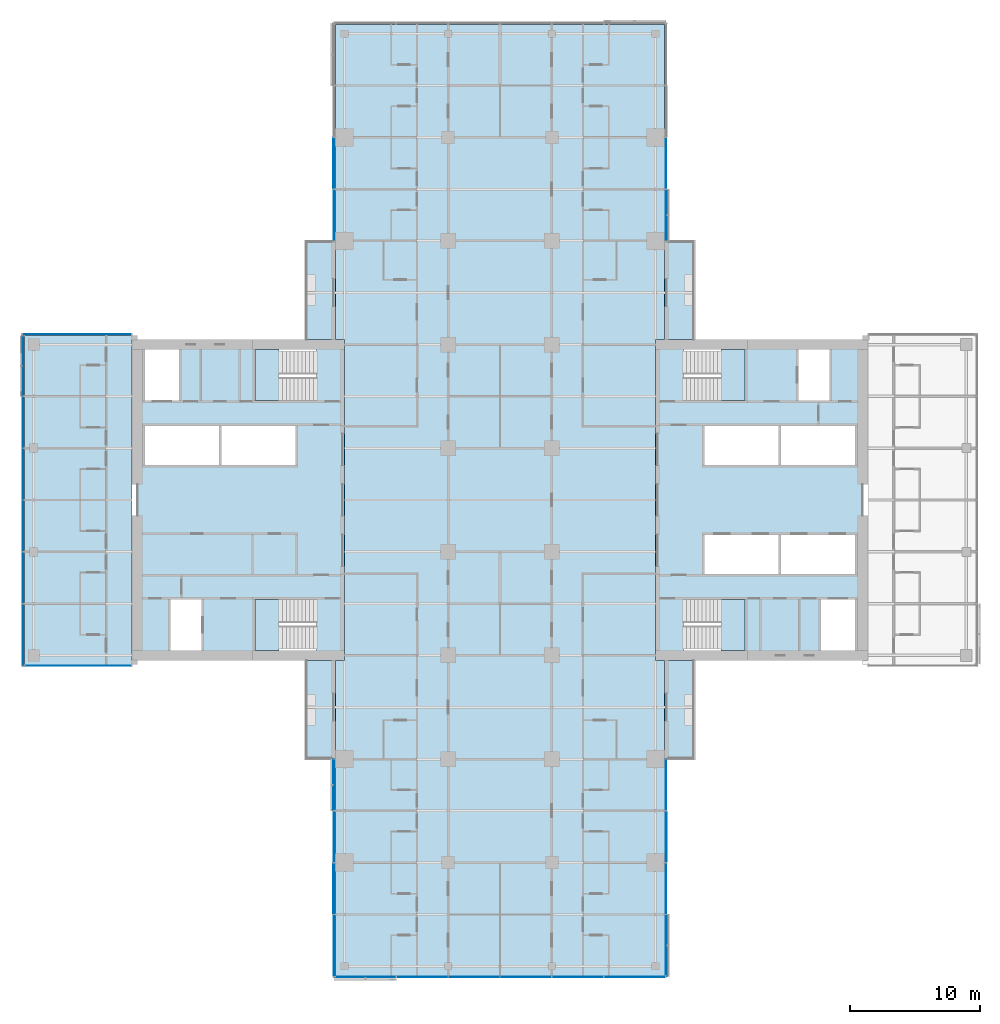
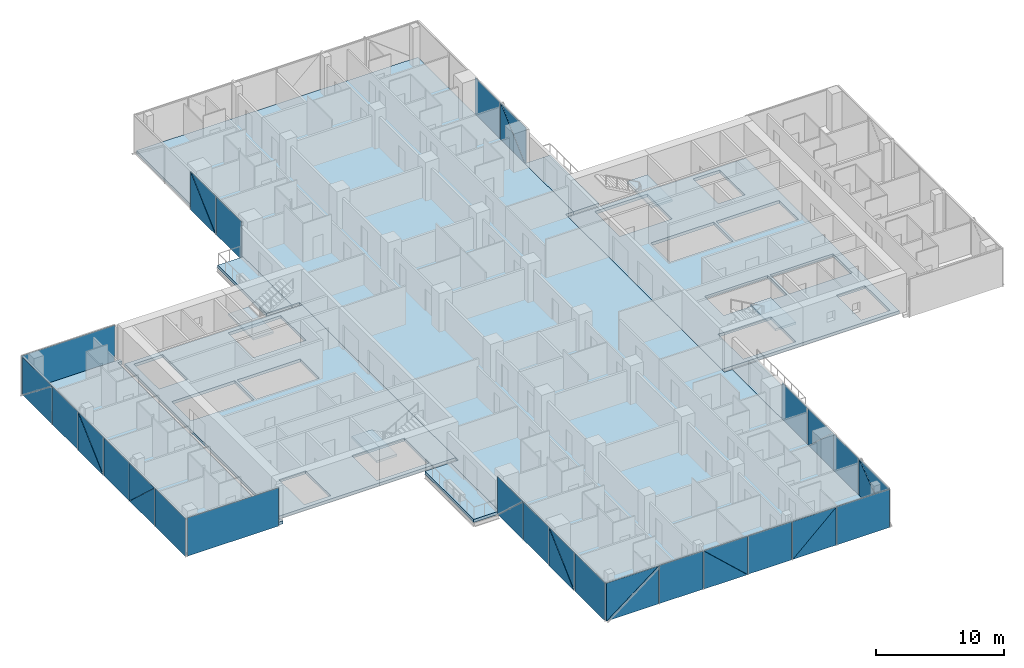
# One storey, part 13 of 29: 38 plates, 12 slabs, 12 elements without a shape of their own.
"""IFC4 building model written with IfcOpenShell, lengths in metres."""

from ifc_helpers import new_model, si_unit, direction, frame, origin, place, context, subcontext, project, spatial, polyline, outline, extrude, material, layer, layer_set, type_object, element, aggregate, save


model = new_model("IFC4")

# Units and contexts
model_context = context("Model", 3, precision=1e-05, world=origin(), true_north=direction((0.0, 1.0)))
body_context = subcontext(model_context, "Body", "Model", "MODEL_VIEW")
ifc_project = project(units=[si_unit("LENGTHUNIT", "METRE"), si_unit("AREAUNIT", "SQUARE_METRE"), si_unit("VOLUMEUNIT", "CUBIC_METRE"), si_unit("PLANEANGLEUNIT", "RADIAN"), si_unit("MASSUNIT", "GRAM", prefix="KILO")], contexts=[model_context])

# Site, building, storey
site_placement = place(None, origin())
site = spatial("IfcSite", under=ifc_project, at=site_placement, CompositionType="ELEMENT")
building_placement = place(site_placement, origin())
building = spatial("IfcBuilding", under=site, at=building_placement, Name="Crosswind Convention Tower", CompositionType="ELEMENT")
storey_placement = place(building_placement, frame((0.0, 0.0, 60.89990234375)))
storey = spatial("IfcBuildingStorey", under=building, at=storey_placement, Name="L09", CompositionType="ELEMENT", Elevation=60.89990234375)

# Slabs
ifc_material_1 = material(Name="Concrete C40/50", Category="concrete")
ifc_layer_1 = layer(ifc_material_1, 0.280029296875)
ifc_layer_set_1 = layer_set([ifc_layer_1], Name="Concrete C40/50")
slab_type_1 = type_object("IfcSlabType", Name="BALCONY SLAB 280", PredefinedType="USERDEFINED", material=ifc_layer_set_1)
slab_1_placement = place(storey_placement, frame((0.0, 0.0, -0.27978515625)))
element("IfcSlab", 1, at=slab_1_placement, inside=storey, type_object=slab_type_1, Name="BALCONY L09 N-E.1-1", ObjectType="BALCONY", PredefinedType="USERDEFINED", context=body_context, shape_type="SweptSolid", body=[
    extrude(outline(polyline([(137.699951171875, 112.39990234375), (137.699951171875, 120.0), (140.0, 120.0), (140.0, 112.39990234375), (137.699951171875, 112.39990234375)])), origin(), (0.0, 0.0, 1.0), 0.27978515625),
])
slab_2_placement = place(storey_placement, frame((0.0, 0.0, -0.27978515625)))
element("IfcSlab", 2, at=slab_2_placement, inside=storey, type_object=slab_type_1, Name="BALCONY L09 N-W.1-3", ObjectType="BALCONY", PredefinedType="USERDEFINED", context=body_context, shape_type="SweptSolid", body=[
    extrude(outline(polyline([(112.300048828125, 120.0), (112.300048828125, 112.39990234375), (110.0, 112.39990234375), (110.0, 120.0), (112.300048828125, 120.0)])), origin(), (0.0, 0.0, 1.0), 0.27978515625),
])
slab_3_placement = place(storey_placement, frame((0.0, 0.0, -0.27978515625)))
element("IfcSlab", 3, at=slab_3_placement, inside=storey, type_object=slab_type_1, Name="BALCONY L09 S-W.1-1", ObjectType="BALCONY", PredefinedType="USERDEFINED", context=body_context, shape_type="SweptSolid", body=[
    extrude(outline(polyline([(112.300048828125, 87.60009765625), (112.300048828125, 80.0), (110.0, 80.0), (110.0, 87.60009765625), (112.300048828125, 87.60009765625)])), origin(), (0.0, 0.0, 1.0), 0.27978515625),
])
slab_4_placement = place(storey_placement, frame((0.0, 0.0, -0.27978515625)))
element("IfcSlab", 4, at=slab_4_placement, inside=storey, type_object=slab_type_1, Name="BALCONY L09 S-E.1-3", ObjectType="BALCONY", PredefinedType="USERDEFINED", context=body_context, shape_type="SweptSolid", body=[
    extrude(outline(polyline([(137.699951171875, 80.0), (137.699951171875, 87.60009765625), (140.0, 87.60009765625), (140.0, 80.0), (137.699951171875, 80.0)])), origin(), (0.0, 0.0, 1.0), 0.27978515625),
])
ifc_layer_2 = layer(ifc_material_1, 0.280029296875)
ifc_layer_set_2 = layer_set([ifc_layer_2], Name="Concrete C40/50")
slab_type_2 = type_object("IfcSlabType", Name="Composite floor slab 280", PredefinedType="FLOOR", material=ifc_layer_set_2)
slab_5_placement = place(storey_placement, frame((0.0, 0.0, -0.27978515625)))
element("IfcSlab", 5, at=slab_5_placement, inside=storey, type_object=slab_type_2, Name="Floor slab L09 part 1", PredefinedType="FLOOR", context=body_context, shape_type="SweptSolid", body=[
    extrude(outline(polyline([(97.0, 87.300048828125), (89.0, 87.300048828125), (88.300048828125, 87.300048828125), (88.300048828125, 88.0), (88.300048828125, 112.0), (88.300048828125, 112.699951171875), (89.0, 112.699951171875), (97.0, 112.699951171875), (97.0, 112.39990234375), (96.60009765625, 112.39990234375), (96.60009765625, 87.60009765625), (97.0, 87.60009765625), (97.0, 87.300048828125)])), origin(), (0.0, 0.0, 1.0), 0.27978515625),
])
slab_6_placement = place(storey_placement, frame((0.0, 0.0, -0.27978515625)))
element("IfcSlab", 6, at=slab_6_placement, inside=storey, type_object=slab_type_2, Name="Floor slab L09 part 2", PredefinedType="FLOOR", context=body_context, shape_type="SweptSolid", body=[
    extrude(outline(polyline([(112.300048828125, 87.60009765625), (113.0, 87.60009765625), (113.0, 112.39990234375), (112.300048828125, 112.39990234375), (112.300048828125, 136.0), (112.300048828125, 136.699951171875), (113.0, 136.699951171875), (137.0, 136.699951171875), (137.699951171875, 136.699951171875), (137.699951171875, 136.0), (137.699951171875, 112.39990234375), (137.0, 112.39990234375), (137.0, 87.60009765625), (137.699951171875, 87.60009765625), (137.699951171875, 64.0), (137.699951171875, 63.300048828125), (137.0, 63.300048828125), (113.0, 63.300048828125), (112.300048828125, 63.300048828125), (112.300048828125, 64.0), (112.300048828125, 87.60009765625)])), origin(), (0.0, 0.0, 1.0), 0.27978515625),
])
ifc_layer_3 = layer(ifc_material_1, 0.280029296875)
ifc_layer_set_3 = layer_set([ifc_layer_3], Name="Concrete C40/50")
slab_type_3 = type_object("IfcSlabType", Name="Concrete core floor slab 280", PredefinedType="FLOOR", material=ifc_layer_set_3)
slab_7_placement = place(storey_placement, frame((0.0, 0.0, -0.27978515625)))
element("IfcSlab", 7, at=slab_7_placement, inside=storey, type_object=slab_type_3, Name="Core floor slab E L09", PredefinedType="FLOOR", context=body_context, shape_type="SweptSolid", body=[
    extrude(outline(polyline([(137.0, 88.0), (153.0, 88.0), (153.0, 112.0), (137.0, 112.0), (137.0, 88.0)]), holes=[polyline([(146.5, 102.699951171875), (146.5, 105.699951171875), (140.800048828125, 105.699951171875), (140.800048828125, 102.699951171875), (146.5, 102.699951171875)]), polyline([(152.39990234375, 102.699951171875), (152.39990234375, 105.699951171875), (146.699951171875, 105.699951171875), (146.699951171875, 102.699951171875), (152.39990234375, 102.699951171875)]), polyline([(146.5, 94.300048828125), (146.5, 97.300048828125), (140.800048828125, 97.300048828125), (140.800048828125, 94.300048828125), (146.5, 94.300048828125)]), polyline([(152.39990234375, 94.300048828125), (152.39990234375, 97.300048828125), (146.699951171875, 97.300048828125), (146.699951171875, 94.300048828125), (152.39990234375, 94.300048828125)]), polyline([(150.449951171875, 107.699951171875), (150.449951171875, 111.60009765625), (148.050048828125, 111.60009765625), (148.050048828125, 107.699951171875), (150.449951171875, 107.699951171875)]), polyline([(152.39990234375, 88.39990234375), (152.39990234375, 92.300048828125), (149.800048828125, 92.300048828125), (149.800048828125, 88.39990234375), (152.39990234375, 88.39990234375)]), polyline([(143.89990234375, 107.699951171875), (143.89990234375, 111.60009765625), (139.14990234375, 111.60009765625), (139.14990234375, 107.699951171875), (143.89990234375, 107.699951171875)]), polyline([(143.89990234375, 88.39990234375), (143.89990234375, 92.300048828125), (139.14990234375, 92.300048828125), (139.14990234375, 88.39990234375), (143.89990234375, 88.39990234375)])]), origin(), (0.0, 0.0, 1.0), 0.27978515625),
])
slab_8_placement = place(storey_placement, frame((0.0, 0.0, -0.27978515625)))
element("IfcSlab", 8, at=slab_8_placement, inside=storey, type_object=slab_type_3, Name="Core floor slab W L09", PredefinedType="FLOOR", context=body_context, shape_type="SweptSolid", body=[
    extrude(outline(polyline([(97.0, 88.0), (113.0, 88.0), (113.0, 112.0), (97.0, 112.0), (97.0, 88.0)]), holes=[polyline([(109.199951171875, 102.699951171875), (109.199951171875, 105.699951171875), (103.5, 105.699951171875), (103.5, 102.699951171875), (109.199951171875, 102.699951171875)]), polyline([(103.300048828125, 102.699951171875), (103.300048828125, 105.699951171875), (97.60009765625, 105.699951171875), (97.60009765625, 102.699951171875), (103.300048828125, 102.699951171875)]), polyline([(101.949951171875, 88.39990234375), (101.949951171875, 92.300048828125), (99.550048828125, 92.300048828125), (99.550048828125, 88.39990234375), (101.949951171875, 88.39990234375)]), polyline([(100.199951171875, 107.699951171875), (100.199951171875, 111.60009765625), (97.60009765625, 111.60009765625), (97.60009765625, 107.699951171875), (100.199951171875, 107.699951171875)]), polyline([(110.85009765625, 88.39990234375), (110.85009765625, 92.300048828125), (106.10009765625, 92.300048828125), (106.10009765625, 88.39990234375), (110.85009765625, 88.39990234375)]), polyline([(110.85009765625, 107.699951171875), (110.85009765625, 111.60009765625), (106.10009765625, 111.60009765625), (106.10009765625, 107.699951171875), (110.85009765625, 107.699951171875)])]), origin(), (0.0, 0.0, 1.0), 0.27978515625),
])

# Stair, slab
stair_type = type_object("IfcStairType", Name="Exit stair 1800 wide, 2 flights of 11 risers", PredefinedType="HALF_TURN_STAIR", material=ifc_material_1)
stair_1_placement = place(storey_placement, origin())
stair_1 = element("IfcStair", 9, at=stair_1_placement, inside=storey, type_object=stair_type, Name="Exit stair ST1 L09", ObjectType="ST5", PredefinedType="HALF_TURN_STAIR")
ifc_layer_4 = layer(ifc_material_1, 0.199951171875)
ifc_layer_set_4 = layer_set([ifc_layer_4], Name="Concrete C40/50")
slab_type_4 = type_object("IfcSlabType", Name="Stair landing 200", PredefinedType="LANDING", material=ifc_layer_set_4)
slab_9_placement = place(storey_placement, frame((0.0, 0.0, 1.650146484375)))
slab_9 = element("IfcSlab", 10, at=slab_9_placement, type_object=slab_type_4, Name="ST1 landing 1", PredefinedType="LANDING", context=body_context, shape_type="SweptSolid", body=[
    extrude(outline(polyline([(143.89990234375, 107.699951171875), (143.89990234375, 111.60009765625), (142.050048828125, 111.60009765625), (142.050048828125, 107.699951171875), (143.89990234375, 107.699951171875)])), origin(), (0.0, 0.0, 1.0), 0.199951171875),
])
aggregate(stair_1, [slab_9])

stair_2_placement = place(storey_placement, origin())
stair_2 = element("IfcStair", 11, at=stair_2_placement, inside=storey, type_object=stair_type, Name="Exit stair ST2 L09", ObjectType="ST5", PredefinedType="HALF_TURN_STAIR")
slab_10_placement = place(storey_placement, frame((0.0, 0.0, 1.650146484375)))
slab_10 = element("IfcSlab", 12, at=slab_10_placement, type_object=slab_type_4, Name="ST2 landing 1", PredefinedType="LANDING", context=body_context, shape_type="SweptSolid", body=[
    extrude(outline(polyline([(143.89990234375, 88.39990234375), (143.89990234375, 92.300048828125), (142.050048828125, 92.300048828125), (142.050048828125, 88.39990234375), (143.89990234375, 88.39990234375)])), origin(), (0.0, 0.0, 1.0), 0.199951171875),
])
aggregate(stair_2, [slab_10])

stair_3_placement = place(storey_placement, origin())
stair_3 = element("IfcStair", 13, at=stair_3_placement, inside=storey, type_object=stair_type, Name="Exit stair ST3 L09", ObjectType="ST5", PredefinedType="HALF_TURN_STAIR")
slab_11_placement = place(storey_placement, frame((0.0, 0.0, 1.650146484375)))
slab_11 = element("IfcSlab", 14, at=slab_11_placement, type_object=slab_type_4, Name="ST3 landing 1", PredefinedType="LANDING", context=body_context, shape_type="SweptSolid", body=[
    extrude(outline(polyline([(107.949951171875, 88.39990234375), (107.949951171875, 92.300048828125), (106.10009765625, 92.300048828125), (106.10009765625, 88.39990234375), (107.949951171875, 88.39990234375)])), origin(), (0.0, 0.0, 1.0), 0.199951171875),
])
aggregate(stair_3, [slab_11])

stair_4_placement = place(storey_placement, origin())
stair_4 = element("IfcStair", 15, at=stair_4_placement, inside=storey, type_object=stair_type, Name="Exit stair ST4 L09", ObjectType="ST5", PredefinedType="HALF_TURN_STAIR")
slab_12_placement = place(storey_placement, frame((0.0, 0.0, 1.650146484375)))
slab_12 = element("IfcSlab", 16, at=slab_12_placement, type_object=slab_type_4, Name="ST4 landing 1", PredefinedType="LANDING", context=body_context, shape_type="SweptSolid", body=[
    extrude(outline(polyline([(107.949951171875, 107.699951171875), (107.949951171875, 111.60009765625), (106.10009765625, 111.60009765625), (106.10009765625, 107.699951171875), (107.949951171875, 107.699951171875)])), origin(), (0.0, 0.0, 1.0), 0.199951171875),
])
aggregate(stair_4, [slab_12])

# Curtain wall, plate
ifc_material_2 = material(Name="Aluminium unitised curtain wall", Category="aluminium")
curtain_wall_type_1 = type_object("IfcCurtainWallType", Name="CORE END SLOT WALL 160", PredefinedType="USERDEFINED", material=ifc_material_2)
curtain_wall_1_placement = place(storey_placement, origin())
curtain_wall_1 = element("IfcCurtainWall", 17, at=curtain_wall_1_placement, inside=storey, type_object=curtain_wall_type_1, Name="CW6 L09 W-N.2-1 slot", ObjectType="UNITISED", PredefinedType="USERDEFINED")
ifc_material_3 = material(Name="Laminated insulating glass unit", Category="glass")
ifc_layer_5 = layer(ifc_material_3, 0.02587890625)
ifc_layer_set_5 = layer_set([ifc_layer_5], Name="TRIANGULAR GLASS PANEL 26")
plate_type_1 = type_object("IfcPlateType", Name="TRIANGULAR GLASS PANEL 26", PredefinedType="CURTAIN_PANEL", material=ifc_layer_set_5)
plate_1_placement = place(storey_placement, frame((96.550048828125, 112.806640625, -0.27978515625), z_axis=(0.0, 0.999999919464, 0.00040133776), x_axis=(-1.0, 0.0, 0.0)))
plate_1 = element("IfcPlate", 18, at=plate_1_placement, type_object=plate_type_1, Name="CW6 panel 1.1", PredefinedType="CURTAIN_PANEL", context=body_context, shape_type="SweptSolid", body=[
    extrude(outline(polyline([(0.0, 0.0), (8.400146484375, 0.0), (8.400146484375, 3.649902637698567), (0.0, 3.649902637698567), (0.0, 0.0)])), origin(), (0.0, 0.0, -1.0), 0.02587890625),
])
aggregate(curtain_wall_1, [plate_1])

curtain_wall_2_placement = place(storey_placement, origin())
curtain_wall_2 = element("IfcCurtainWall", 19, at=curtain_wall_2_placement, inside=storey, type_object=curtain_wall_type_1, Name="CW6 L09 W-S.1-1 slot", ObjectType="UNITISED", PredefinedType="USERDEFINED")
plate_2_placement = place(storey_placement, frame((88.35009765625, 87.193359375, -0.27978515625), z_axis=(0.0, -0.999999919464, 0.00040133776), x_axis=(1.0, 0.0, 0.0)))
plate_2 = element("IfcPlate", 20, at=plate_2_placement, type_object=plate_type_1, Name="CW6 panel 1.1", PredefinedType="CURTAIN_PANEL", context=body_context, shape_type="SweptSolid", body=[
    extrude(outline(polyline([(0.0, 0.0), (8.199951171875, 0.0), (8.199951171875, 3.6499026376985664), (0.0, 3.6499026376985664), (0.0, 0.0)])), origin(), (0.0, 0.0, -1.0), 0.02587890625),
])
aggregate(curtain_wall_2, [plate_2])

# Curtain wall, plates
curtain_wall_type_2 = type_object("IfcCurtainWallType", Name="HOTEL UNITISED WALL 200", PredefinedType="USERDEFINED", material=ifc_material_2)
curtain_wall_3_placement = place(storey_placement, origin())
curtain_wall_3 = element("IfcCurtainWall", 21, at=curtain_wall_3_placement, inside=storey, type_object=curtain_wall_type_2, Name="CW2 L09 N-E 1", ObjectType="UNITISED", PredefinedType="USERDEFINED")
ifc_layer_6 = layer(ifc_material_3, 0.028076171875)
ifc_layer_set_6 = layer_set([ifc_layer_6], Name="TRIANGULAR GLASS PANEL 28")
plate_type_2 = type_object("IfcPlateType", Name="TRIANGULAR GLASS PANEL 28", PredefinedType="CURTAIN_PANEL", material=ifc_layer_set_6)
plate_3_placement = place(storey_placement, frame((137.82861328125, 123.967529296875, -0.27978515625), z_axis=(0.999999943186, 0.0, 0.000337086208), x_axis=(-0.000337086208, 0.0, 0.999999943186)))
plate_3 = element("IfcPlate", 22, at=plate_3_placement, type_object=plate_type_2, Name="CW2 panel 1.1", PredefinedType="CURTAIN_PANEL", context=body_context, shape_type="SweptSolid", body=[
    extrude(outline(polyline([(0.0, 0.0), (3.6213380963660997, 0.0), (0.0, 3.920410156250001), (0.0, 0.0)])), origin(), (0.0, 0.0, -1.0), 0.028076171875),
])
plate_4_placement = place(storey_placement, frame((137.857177734375, 120.032470703125, 3.35498046875), z_axis=(0.999999918188, 0.0, 0.000404503439), x_axis=(0.000404503439, 0.0, -0.999999918188)))
plate_4 = element("IfcPlate", 23, at=plate_4_placement, type_object=plate_type_2, Name="CW2 panel 1.2", PredefinedType="CURTAIN_PANEL", context=body_context, shape_type="SweptSolid", body=[
    extrude(outline(polyline([(0.0, 0.0), (3.6213381868921797, 0.0), (0.0, 3.92041015625), (0.0, 0.0)])), origin(), (0.0, 0.0, -1.0), 0.028076171875),
])
plate_5_placement = place(storey_placement, frame((137.82861328125, 124.032470703125, -0.27978515625), z_axis=(0.999999943605, 0.0, 0.000335840927), x_axis=(0.0, 1.0, 0.0)))
plate_5 = element("IfcPlate", 24, at=plate_5_placement, type_object=plate_type_2, Name="CW2 panel 2.1", PredefinedType="CURTAIN_PANEL", context=body_context, shape_type="SweptSolid", body=[
    extrude(outline(polyline([(0.0, 0.0), (3.93505859375, 0.0), (3.93505859375, 3.63476582998104), (0.0, 3.63476582998104), (0.0, 0.0)])), origin(), (0.0, 0.0, -1.0), 0.028076171875),
])
aggregate(curtain_wall_3, [plate_3, plate_4, plate_5])

curtain_wall_4_placement = place(storey_placement, origin())
curtain_wall_4 = element("IfcCurtainWall", 25, at=curtain_wall_4_placement, inside=storey, type_object=curtain_wall_type_2, Name="CW2 L09 N-W 1", ObjectType="UNITISED", PredefinedType="USERDEFINED")
plate_6_placement = place(storey_placement, frame((112.172607421875, 124.032470703125, 3.35498046875), z_axis=(-0.999999943186, 0.0, 0.000337086208), x_axis=(0.0, 1.0, 0.0)))
plate_6 = element("IfcPlate", 26, at=plate_6_placement, type_object=plate_type_2, Name="CW2 panel 3.1", PredefinedType="CURTAIN_PANEL", context=body_context, shape_type="SweptSolid", body=[
    extrude(outline(polyline([(0.0, 0.0), (3.92041015625, 0.0), (0.0, 3.6213380963660997), (0.0, 0.0)])), origin(), (0.0, 0.0, -1.0), 0.028076171875),
])
plate_7_placement = place(storey_placement, frame((112.141357421875, 127.967529296875, -0.27978515625), z_axis=(-0.999999918188, 0.0, 0.000404503439), x_axis=(0.0, -1.0, 0.0)))
plate_7 = element("IfcPlate", 27, at=plate_7_placement, type_object=plate_type_2, Name="CW2 panel 3.2", PredefinedType="CURTAIN_PANEL", context=body_context, shape_type="SweptSolid", body=[
    extrude(outline(polyline([(0.0, 0.0), (3.92041015625, 0.0), (0.0, 3.6213381868921792), (0.0, 0.0)])), origin(), (0.0, 0.0, -1.0), 0.028076171875),
])
plate_8_placement = place(storey_placement, frame((112.17138671875, 123.967529296875, -0.27978515625), z_axis=(-0.999999943605, 0.0, 0.000335840927), x_axis=(0.0, -1.0, 0.0)))
plate_8 = element("IfcPlate", 28, at=plate_8_placement, type_object=plate_type_2, Name="CW2 panel 4.1", PredefinedType="CURTAIN_PANEL", context=body_context, shape_type="SweptSolid", body=[
    extrude(outline(polyline([(0.0, 0.0), (3.93505859375, 0.0), (3.93505859375, 3.63476582998104), (0.0, 3.63476582998104), (0.0, 0.0)])), origin(), (0.0, 0.0, -1.0), 0.028076171875),
])
aggregate(curtain_wall_4, [plate_6, plate_7, plate_8])

curtain_wall_5_placement = place(storey_placement, origin())
curtain_wall_5 = element("IfcCurtainWall", 29, at=curtain_wall_5_placement, inside=storey, type_object=curtain_wall_type_2, Name="CW2 L09 W-TIP 1", ObjectType="UNITISED", PredefinedType="USERDEFINED")
plate_9_placement = place(storey_placement, frame((88.17138671875, 108.032470703125, -0.27978515625), z_axis=(-0.999999943209, 0.0, 0.000337018045), x_axis=(0.000337018045, 0.0, 0.999999943209)))
plate_9 = element("IfcPlate", 30, at=plate_9_placement, type_object=plate_type_2, Name="CW2 panel 1.1", PredefinedType="CURTAIN_PANEL", context=body_context, shape_type="SweptSolid", body=[
    extrude(outline(polyline([(0.0, 0.0), (3.622070518199496, 0.0), (0.0, 4.58642578125), (0.0, 0.0)])), origin(), (0.0, 0.0, -1.0), 0.028076171875),
])
plate_10_placement = place(storey_placement, frame((88.142822265625, 112.635009765625, 3.35498046875), z_axis=(-0.999999918222, 0.0, 0.000404421644), x_axis=(-0.000404421644, 0.0, -0.999999918222)))
plate_10 = element("IfcPlate", 31, at=plate_10_placement, type_object=plate_type_2, Name="CW2 panel 1.2", PredefinedType="CURTAIN_PANEL", context=body_context, shape_type="SweptSolid", body=[
    extrude(outline(polyline([(0.0, 0.0), (3.6220706087072707, 0.0), (0.0, 4.586425781249999), (0.0, 0.0)])), origin(), (0.0, 0.0, -1.0), 0.028076171875),
])
plate_11_placement = place(storey_placement, frame((88.17138671875, 107.967529296875, -0.27978515625), z_axis=(-0.999999943605, 0.0, 0.000335840927), x_axis=(0.0, -1.0, 0.0)))
plate_11 = element("IfcPlate", 32, at=plate_11_placement, type_object=plate_type_2, Name="CW2 panel 2.1", PredefinedType="CURTAIN_PANEL", context=body_context, shape_type="SweptSolid", body=[
    extrude(outline(polyline([(0.0, 0.0), (3.93505859375, 0.0), (3.93505859375, 3.63476582998104), (0.0, 3.63476582998104), (0.0, 0.0)])), origin(), (0.0, 0.0, -1.0), 0.028076171875),
])
plate_12_placement = place(storey_placement, frame((88.172607421875, 100.032470703125, 3.35498046875), z_axis=(-0.999999943186, 0.0, 0.000337086208), x_axis=(0.0, 1.0, 0.0)))
plate_12 = element("IfcPlate", 33, at=plate_12_placement, type_object=plate_type_2, Name="CW2 panel 3.1", PredefinedType="CURTAIN_PANEL", context=body_context, shape_type="SweptSolid", body=[
    extrude(outline(polyline([(0.0, 0.0), (3.92041015625, 0.0), (0.0, 3.6213380963660997), (0.0, 0.0)])), origin(), (0.0, 0.0, -1.0), 0.028076171875),
])
plate_13_placement = place(storey_placement, frame((88.141357421875, 103.967529296875, -0.27978515625), z_axis=(-0.999999918188, 0.0, 0.000404503439), x_axis=(0.0, -1.0, 0.0)))
plate_13 = element("IfcPlate", 34, at=plate_13_placement, type_object=plate_type_2, Name="CW2 panel 3.2", PredefinedType="CURTAIN_PANEL", context=body_context, shape_type="SweptSolid", body=[
    extrude(outline(polyline([(0.0, 0.0), (3.92041015625, 0.0), (0.0, 3.6213381868921792), (0.0, 0.0)])), origin(), (0.0, 0.0, -1.0), 0.028076171875),
])
plate_14_placement = place(storey_placement, frame((88.17138671875, 99.967529296875, -0.27978515625), z_axis=(-0.999999943605, 0.0, 0.000335840927), x_axis=(0.0, -1.0, 0.0)))
plate_14 = element("IfcPlate", 35, at=plate_14_placement, type_object=plate_type_2, Name="CW2 panel 4.1", PredefinedType="CURTAIN_PANEL", context=body_context, shape_type="SweptSolid", body=[
    extrude(outline(polyline([(0.0, 0.0), (3.93505859375, 0.0), (3.93505859375, 3.63476582998104), (0.0, 3.63476582998104), (0.0, 0.0)])), origin(), (0.0, 0.0, -1.0), 0.028076171875),
])
plate_15_placement = place(storey_placement, frame((88.17138671875, 92.032470703125, -0.27978515625), z_axis=(-0.999999943186, 0.0, 0.000337086208), x_axis=(0.000337086208, 0.0, 0.999999943186)))
plate_15 = element("IfcPlate", 36, at=plate_15_placement, type_object=plate_type_2, Name="CW2 panel 5.1", PredefinedType="CURTAIN_PANEL", context=body_context, shape_type="SweptSolid", body=[
    extrude(outline(polyline([(0.0, 0.0), (3.6213380963660997, 0.0), (0.0, 3.920410156250001), (0.0, 0.0)])), origin(), (0.0, 0.0, -1.0), 0.028076171875),
])
plate_16_placement = place(storey_placement, frame((88.142822265625, 95.967529296875, 3.35498046875), z_axis=(-0.999999918188, 0.0, 0.000404503439), x_axis=(-0.000404503439, 0.0, -0.999999918188)))
plate_16 = element("IfcPlate", 37, at=plate_16_placement, type_object=plate_type_2, Name="CW2 panel 5.2", PredefinedType="CURTAIN_PANEL", context=body_context, shape_type="SweptSolid", body=[
    extrude(outline(polyline([(0.0, 0.0), (3.6213381868921797, 0.0), (0.0, 3.92041015625), (0.0, 0.0)])), origin(), (0.0, 0.0, -1.0), 0.028076171875),
])
plate_17_placement = place(storey_placement, frame((88.17138671875, 91.967529296875, -0.27978515625), z_axis=(-0.999999943605, 0.0, 0.000335840927), x_axis=(0.0, -1.0, 0.0)))
plate_17 = element("IfcPlate", 38, at=plate_17_placement, type_object=plate_type_2, Name="CW2 panel 6.1", PredefinedType="CURTAIN_PANEL", context=body_context, shape_type="SweptSolid", body=[
    extrude(outline(polyline([(0.0, 0.0), (4.762451171875, 0.0), (4.762451171875, 3.63476582998104), (0.0, 3.63476582998104), (0.0, 0.0)])), origin(), (0.0, 0.0, -1.0), 0.028076171875),
])
aggregate(curtain_wall_5, [plate_9, plate_10, plate_11, plate_12, plate_13, plate_14, plate_15, plate_16, plate_17])

curtain_wall_6_placement = place(storey_placement, origin())
curtain_wall_6 = element("IfcCurtainWall", 39, at=curtain_wall_6_placement, inside=storey, type_object=curtain_wall_type_2, Name="CW2 L09 S-W 1", ObjectType="UNITISED", PredefinedType="USERDEFINED")
plate_18_placement = place(storey_placement, frame((112.17138671875, 76.032470703125, -0.27978515625), z_axis=(-0.999999943186, 0.0, 0.000337086208), x_axis=(0.000337086208, 0.0, 0.999999943186)))
plate_18 = element("IfcPlate", 40, at=plate_18_placement, type_object=plate_type_2, Name="CW2 panel 1.1", PredefinedType="CURTAIN_PANEL", context=body_context, shape_type="SweptSolid", body=[
    extrude(outline(polyline([(0.0, 0.0), (3.6213380963660997, 0.0), (0.0, 3.920410156250001), (0.0, 0.0)])), origin(), (0.0, 0.0, -1.0), 0.028076171875),
])
plate_19_placement = place(storey_placement, frame((112.142822265625, 79.967529296875, 3.35498046875), z_axis=(-0.999999918188, 0.0, 0.000404503439), x_axis=(-0.000404503439, 0.0, -0.999999918188)))
plate_19 = element("IfcPlate", 41, at=plate_19_placement, type_object=plate_type_2, Name="CW2 panel 1.2", PredefinedType="CURTAIN_PANEL", context=body_context, shape_type="SweptSolid", body=[
    extrude(outline(polyline([(0.0, 0.0), (3.6213381868921797, 0.0), (0.0, 3.92041015625), (0.0, 0.0)])), origin(), (0.0, 0.0, -1.0), 0.028076171875),
])
plate_20_placement = place(storey_placement, frame((112.17138671875, 75.967529296875, -0.27978515625), z_axis=(-0.999999943605, 0.0, 0.000335840927), x_axis=(0.0, -1.0, 0.0)))
plate_20 = element("IfcPlate", 42, at=plate_20_placement, type_object=plate_type_2, Name="CW2 panel 2.1", PredefinedType="CURTAIN_PANEL", context=body_context, shape_type="SweptSolid", body=[
    extrude(outline(polyline([(0.0, 0.0), (3.93505859375, 0.0), (3.93505859375, 3.63476582998104), (0.0, 3.63476582998104), (0.0, 0.0)])), origin(), (0.0, 0.0, -1.0), 0.028076171875),
])
plate_21_placement = place(storey_placement, frame((112.172607421875, 68.032470703125, 3.35498046875), z_axis=(-0.999999943186, 0.0, 0.000337086208), x_axis=(0.0, 1.0, 0.0)))
plate_21 = element("IfcPlate", 43, at=plate_21_placement, type_object=plate_type_2, Name="CW2 panel 3.1", PredefinedType="CURTAIN_PANEL", context=body_context, shape_type="SweptSolid", body=[
    extrude(outline(polyline([(0.0, 0.0), (3.92041015625, 0.0), (0.0, 3.6213380963660997), (0.0, 0.0)])), origin(), (0.0, 0.0, -1.0), 0.028076171875),
])
plate_22_placement = place(storey_placement, frame((112.141357421875, 71.967529296875, -0.27978515625), z_axis=(-0.999999918188, 0.0, 0.000404503439), x_axis=(0.0, -1.0, 0.0)))
plate_22 = element("IfcPlate", 44, at=plate_22_placement, type_object=plate_type_2, Name="CW2 panel 3.2", PredefinedType="CURTAIN_PANEL", context=body_context, shape_type="SweptSolid", body=[
    extrude(outline(polyline([(0.0, 0.0), (3.92041015625, 0.0), (0.0, 3.6213381868921792), (0.0, 0.0)])), origin(), (0.0, 0.0, -1.0), 0.028076171875),
])
plate_23_placement = place(storey_placement, frame((112.17138671875, 67.967529296875, -0.27978515625), z_axis=(-0.999999943605, 0.0, 0.000335840927), x_axis=(0.0, -1.0, 0.0)))
plate_23 = element("IfcPlate", 45, at=plate_23_placement, type_object=plate_type_2, Name="CW2 panel 4.1", PredefinedType="CURTAIN_PANEL", context=body_context, shape_type="SweptSolid", body=[
    extrude(outline(polyline([(0.0, 0.0), (4.735107421875, 0.0), (4.735107421875, 3.63476582998104), (0.0, 3.63476582998104), (0.0, 0.0)])), origin(), (0.0, 0.0, -1.0), 0.028076171875),
])
aggregate(curtain_wall_6, [plate_18, plate_19, plate_20, plate_21, plate_22, plate_23])

curtain_wall_7_placement = place(storey_placement, origin())
curtain_wall_7 = element("IfcCurtainWall", 46, at=curtain_wall_7_placement, inside=storey, type_object=curtain_wall_type_2, Name="CW2 L09 S-TIP 1", ObjectType="UNITISED", PredefinedType="USERDEFINED")
plate_24_placement = place(storey_placement, frame((116.967529296875, 63.17138671875, -0.27978515625), z_axis=(0.0, -0.999999943217, 0.00033699533), x_axis=(0.0, 0.00033699533, 0.999999943217)))
plate_24 = element("IfcPlate", 47, at=plate_24_placement, type_object=plate_type_2, Name="CW2 panel 1.1", PredefinedType="CURTAIN_PANEL", context=body_context, shape_type="SweptSolid", body=[
    extrude(outline(polyline([(0.0, 0.0), (3.6223146588106325, 0.0), (0.0, 4.718505859374999), (0.0, 0.0)])), origin(), (0.0, 0.0, -1.0), 0.028076171875),
])
plate_25_placement = place(storey_placement, frame((112.232421875, 63.142822265625, 3.35498046875), z_axis=(0.0, -0.999999918233, 0.000404394386), x_axis=(0.0, -0.000404394386, -0.999999918233)))
plate_25 = element("IfcPlate", 48, at=plate_25_placement, type_object=plate_type_2, Name="CW2 panel 1.2", PredefinedType="CURTAIN_PANEL", context=body_context, shape_type="SweptSolid", body=[
    extrude(outline(polyline([(0.0, 0.0), (3.6223147493123067, 0.0), (0.0, 4.71875), (0.0, 0.0)])), origin(), (0.0, 0.0, -1.0), 0.028076171875),
])
plate_26_placement = place(storey_placement, frame((117.032470703125, 63.17138671875, -0.27978515625), z_axis=(0.0, -0.999999943605, 0.000335840927), x_axis=(1.0, 0.0, 0.0)))
plate_26 = element("IfcPlate", 49, at=plate_26_placement, type_object=plate_type_2, Name="CW2 panel 2.1", PredefinedType="CURTAIN_PANEL", context=body_context, shape_type="SweptSolid", body=[
    extrude(outline(polyline([(0.0, 0.0), (3.93505859375, 0.0), (3.93505859375, 3.63476582998104), (0.0, 3.63476582998104), (0.0, 0.0)])), origin(), (0.0, 0.0, -1.0), 0.028076171875),
])
plate_27_placement = place(storey_placement, frame((124.967529296875, 63.172607421875, 3.35498046875), z_axis=(0.0, -0.999999943186, 0.000337086208), x_axis=(-1.0, 0.0, 0.0)))
plate_27 = element("IfcPlate", 50, at=plate_27_placement, type_object=plate_type_2, Name="CW2 panel 3.1", PredefinedType="CURTAIN_PANEL", context=body_context, shape_type="SweptSolid", body=[
    extrude(outline(polyline([(0.0, 0.0), (3.92041015625, 0.0), (0.0, 3.6213380963660997), (0.0, 0.0)])), origin(), (0.0, 0.0, -1.0), 0.028076171875),
])
plate_28_placement = place(storey_placement, frame((121.032470703125, 63.141357421875, -0.27978515625), z_axis=(0.0, -0.999999918188, 0.000404503439), x_axis=(1.0, 0.0, 0.0)))
plate_28 = element("IfcPlate", 51, at=plate_28_placement, type_object=plate_type_2, Name="CW2 panel 3.2", PredefinedType="CURTAIN_PANEL", context=body_context, shape_type="SweptSolid", body=[
    extrude(outline(polyline([(0.0, 0.0), (3.92041015625, 0.0), (0.0, 3.6213381868921792), (0.0, 0.0)])), origin(), (0.0, 0.0, -1.0), 0.028076171875),
])
plate_29_placement = place(storey_placement, frame((125.032470703125, 63.17138671875, -0.27978515625), z_axis=(0.0, -0.999999943605, 0.000335840927), x_axis=(1.0, 0.0, 0.0)))
plate_29 = element("IfcPlate", 52, at=plate_29_placement, type_object=plate_type_2, Name="CW2 panel 4.1", PredefinedType="CURTAIN_PANEL", context=body_context, shape_type="SweptSolid", body=[
    extrude(outline(polyline([(0.0, 0.0), (3.93505859375, 0.0), (3.93505859375, 3.63476582998104), (0.0, 3.63476582998104), (0.0, 0.0)])), origin(), (0.0, 0.0, -1.0), 0.028076171875),
])
plate_30_placement = place(storey_placement, frame((132.967529296875, 63.17138671875, -0.27978515625), z_axis=(0.0, -0.999999943186, 0.000337086208), x_axis=(0.0, 0.000337086208, 0.999999943186)))
plate_30 = element("IfcPlate", 53, at=plate_30_placement, type_object=plate_type_2, Name="CW2 panel 5.1", PredefinedType="CURTAIN_PANEL", context=body_context, shape_type="SweptSolid", body=[
    extrude(outline(polyline([(0.0, 0.0), (3.6213380963660997, 0.0), (0.0, 3.920410156250001), (0.0, 0.0)])), origin(), (0.0, 0.0, -1.0), 0.028076171875),
])
plate_31_placement = place(storey_placement, frame((129.032470703125, 63.142822265625, 3.35498046875), z_axis=(0.0, -0.999999918188, 0.000404503439), x_axis=(0.0, -0.000404503439, -0.999999918188)))
plate_31 = element("IfcPlate", 54, at=plate_31_placement, type_object=plate_type_2, Name="CW2 panel 5.2", PredefinedType="CURTAIN_PANEL", context=body_context, shape_type="SweptSolid", body=[
    extrude(outline(polyline([(0.0, 0.0), (3.6213381868921797, 0.0), (0.0, 3.92041015625), (0.0, 0.0)])), origin(), (0.0, 0.0, -1.0), 0.028076171875),
])
plate_32_placement = place(storey_placement, frame((133.032470703125, 63.17138671875, -0.27978515625), z_axis=(0.0, -0.999999943605, 0.000335840927), x_axis=(1.0, 0.0, 0.0)))
plate_32 = element("IfcPlate", 55, at=plate_32_placement, type_object=plate_type_2, Name="CW2 panel 6.1", PredefinedType="CURTAIN_PANEL", context=body_context, shape_type="SweptSolid", body=[
    extrude(outline(polyline([(0.0, 0.0), (4.735107421875, 0.0), (4.735107421875, 3.63476582998104), (0.0, 3.63476582998104), (0.0, 0.0)])), origin(), (0.0, 0.0, -1.0), 0.028076171875),
])
aggregate(curtain_wall_7, [plate_24, plate_25, plate_26, plate_27, plate_28, plate_29, plate_30, plate_31, plate_32])

curtain_wall_8_placement = place(storey_placement, origin())
curtain_wall_8 = element("IfcCurtainWall", 56, at=curtain_wall_8_placement, inside=storey, type_object=curtain_wall_type_2, Name="CW2 L09 S-E 1", ObjectType="UNITISED", PredefinedType="USERDEFINED")
plate_33_placement = place(storey_placement, frame((137.82861328125, 67.967529296875, -0.27978515625), z_axis=(0.999999943217, 0.0, 0.00033699533), x_axis=(-0.00033699533, 0.0, 0.999999943217)))
plate_33 = element("IfcPlate", 57, at=plate_33_placement, type_object=plate_type_2, Name="CW2 panel 1.1", PredefinedType="CURTAIN_PANEL", context=body_context, shape_type="SweptSolid", body=[
    extrude(outline(polyline([(0.0, 0.0), (3.6223146588106325, 0.0), (0.0, 4.718505859374999), (0.0, 0.0)])), origin(), (0.0, 0.0, -1.0), 0.028076171875),
])
plate_34_placement = place(storey_placement, frame((137.857177734375, 63.232421875, 3.35498046875), z_axis=(0.999999918233, 0.0, 0.000404394386), x_axis=(0.000404394386, 0.0, -0.999999918233)))
plate_34 = element("IfcPlate", 58, at=plate_34_placement, type_object=plate_type_2, Name="CW2 panel 1.2", PredefinedType="CURTAIN_PANEL", context=body_context, shape_type="SweptSolid", body=[
    extrude(outline(polyline([(0.0, 0.0), (3.6223147493123067, 0.0), (0.0, 4.71875), (0.0, 0.0)])), origin(), (0.0, 0.0, -1.0), 0.028076171875),
])
plate_35_placement = place(storey_placement, frame((137.82861328125, 68.032470703125, -0.27978515625), z_axis=(0.999999943605, 0.0, 0.000335840927), x_axis=(0.0, 1.0, 0.0)))
plate_35 = element("IfcPlate", 59, at=plate_35_placement, type_object=plate_type_2, Name="CW2 panel 2.1", PredefinedType="CURTAIN_PANEL", context=body_context, shape_type="SweptSolid", body=[
    extrude(outline(polyline([(0.0, 0.0), (3.93505859375, 0.0), (3.93505859375, 3.63476582998104), (0.0, 3.63476582998104), (0.0, 0.0)])), origin(), (0.0, 0.0, -1.0), 0.028076171875),
])
plate_36_placement = place(storey_placement, frame((137.827392578125, 75.967529296875, 3.35498046875), z_axis=(0.999999943186, 0.0, 0.000337086208), x_axis=(0.0, -1.0, 0.0)))
plate_36 = element("IfcPlate", 60, at=plate_36_placement, type_object=plate_type_2, Name="CW2 panel 3.1", PredefinedType="CURTAIN_PANEL", context=body_context, shape_type="SweptSolid", body=[
    extrude(outline(polyline([(0.0, 0.0), (3.92041015625, 0.0), (0.0, 3.6213380963660997), (0.0, 0.0)])), origin(), (0.0, 0.0, -1.0), 0.028076171875),
])
plate_37_placement = place(storey_placement, frame((137.858642578125, 72.032470703125, -0.27978515625), z_axis=(0.999999918188, 0.0, 0.000404503439), x_axis=(0.0, 1.0, 0.0)))
plate_37 = element("IfcPlate", 61, at=plate_37_placement, type_object=plate_type_2, Name="CW2 panel 3.2", PredefinedType="CURTAIN_PANEL", context=body_context, shape_type="SweptSolid", body=[
    extrude(outline(polyline([(0.0, 0.0), (3.92041015625, 0.0), (0.0, 3.6213381868921792), (0.0, 0.0)])), origin(), (0.0, 0.0, -1.0), 0.028076171875),
])
plate_38_placement = place(storey_placement, frame((137.82861328125, 76.032470703125, -0.27978515625), z_axis=(0.999999943605, 0.0, 0.000335840927), x_axis=(0.0, 1.0, 0.0)))
plate_38 = element("IfcPlate", 62, at=plate_38_placement, type_object=plate_type_2, Name="CW2 panel 4.1", PredefinedType="CURTAIN_PANEL", context=body_context, shape_type="SweptSolid", body=[
    extrude(outline(polyline([(0.0, 0.0), (3.93505859375, 0.0), (3.93505859375, 3.63476582998104), (0.0, 3.63476582998104), (0.0, 0.0)])), origin(), (0.0, 0.0, -1.0), 0.028076171875),
])
aggregate(curtain_wall_8, [plate_33, plate_34, plate_35, plate_36, plate_37, plate_38])

save(model, "model.ifc")
